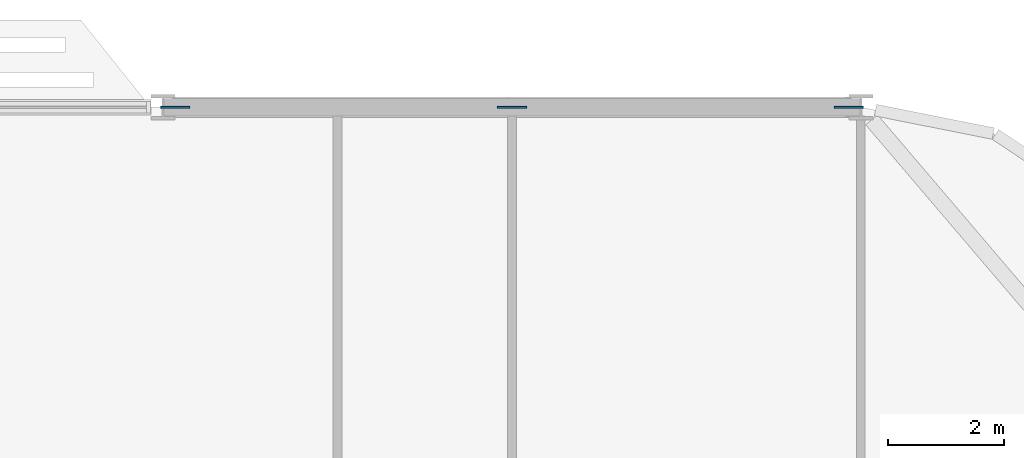
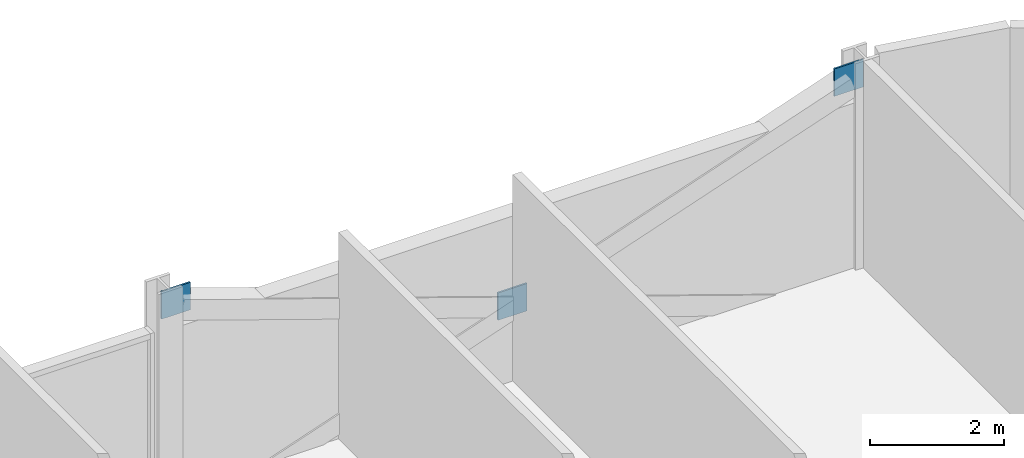
# One storey, part 24 of 29: 3 discrete accessories.
"""IFC4 building model written with IfcOpenShell, lengths in metres."""

from ifc_helpers import new_model, si_unit, direction, frame, origin, origin_2d, place, context, subcontext, project, spatial, rectangle, extrude, material, layer, layer_set, type_object, element, save


model = new_model("IFC4")

# Units and contexts
model_context = context("Model", 3, precision=1e-05, world=origin(), true_north=direction((0.0, 1.0)))
body_context = subcontext(model_context, "Body", "Model", "MODEL_VIEW")
ifc_project = project(units=[si_unit("LENGTHUNIT", "METRE"), si_unit("AREAUNIT", "SQUARE_METRE"), si_unit("VOLUMEUNIT", "CUBIC_METRE"), si_unit("PLANEANGLEUNIT", "RADIAN"), si_unit("MASSUNIT", "GRAM", prefix="KILO")], contexts=[model_context])

# Site, building, storey
site_placement = place(None, origin())
site = spatial("IfcSite", under=ifc_project, at=site_placement, CompositionType="ELEMENT")
building_placement = place(site_placement, origin())
building = spatial("IfcBuilding", under=site, at=building_placement, Name="Mahtab Terrace Research Tower", CompositionType="ELEMENT")
storey_placement = place(building_placement, frame((0.0, 0.0, 142.5)))
storey = spatial("IfcBuildingStorey", under=building, at=storey_placement, Name="L33", CompositionType="ELEMENT", Elevation=142.5)

# Discrete accessories
ifc_material = material(Name="Steel ASTM A992 Gr 50", Category="steel")
ifc_layer = layer(ifc_material, 0.030029296875)
ifc_layer_set = layer_set([ifc_layer], Name="Gusset plate 500x500x30")
discrete_accessory_type = type_object("IfcDiscreteAccessoryType", Name="Gusset plate 500x500x30", PredefinedType="USERDEFINED", material=ifc_layer_set)
for number, where, z_axis, x_axis, name in (
    (1, (30.205810546875, 29.0, 3.131591796875), (0.0, 0.0, 1.0), (1.0, 0.0, 0.0), "Gusset plate"),
    (2, (36.0, 29.0, 1.08154296875), (0.0, 0.0, 1.0), (1.0, 0.0, 0.0), "Gusset plate"),
    (3, (41.794189453125, 29.0, 3.131591796875), (0.0, 0.0, 1.0), (1.0, 0.0, 0.0), "Gusset plate"),
):
    element("IfcDiscreteAccessory", number, at=place(storey_placement, frame(where, z_axis=z_axis, x_axis=x_axis)), inside=storey, type_object=discrete_accessory_type, Name=name, ObjectType="GUSSET PLATE", PredefinedType="USERDEFINED", context=body_context, shape_type="SweptSolid", body=[
        extrude(rectangle(XDim=0.5, YDim=0.030029296875, at=origin_2d()), origin(), (0.0, 0.0, 1.0), 0.5),
    ])

save(model, "model.ifc")
